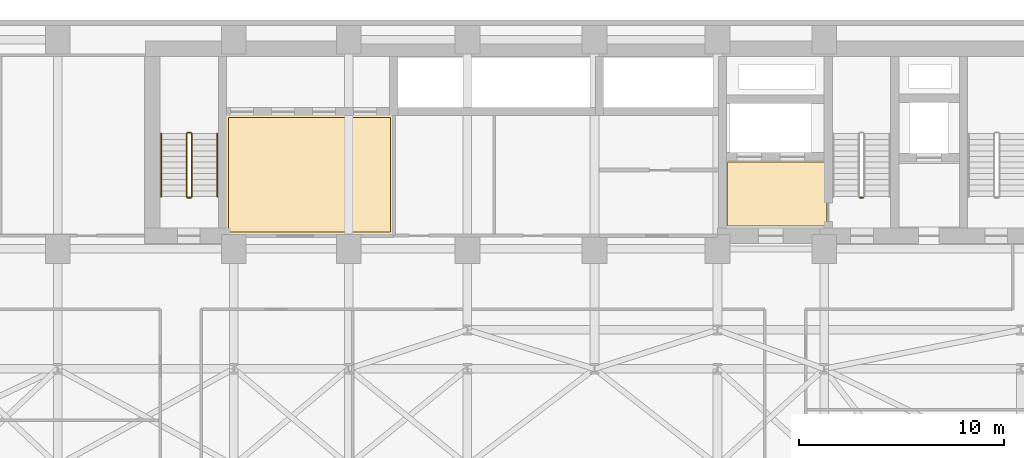
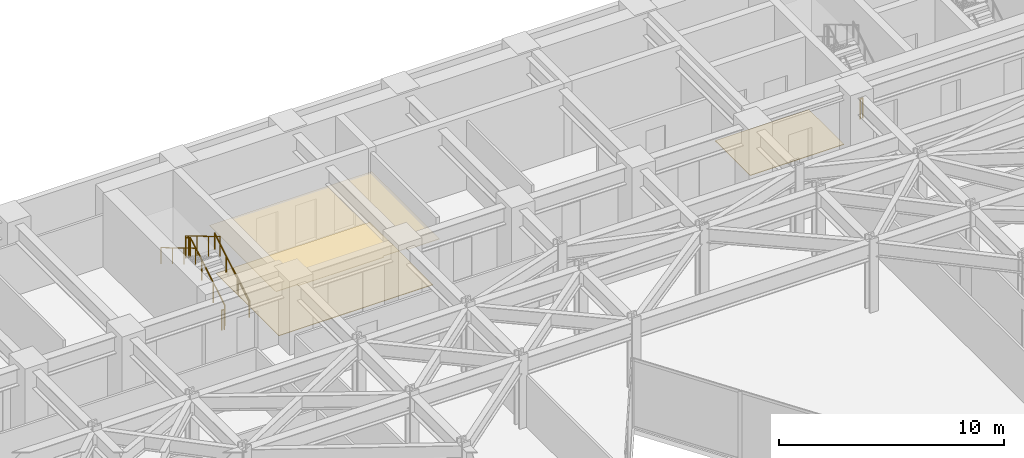
# One storey, part 23 of 24: 7 railings, 3 coverings.
"""IFC4 building model written with IfcOpenShell, lengths in metres."""

from ifc_helpers import new_model, si_unit, direction, frame, origin, origin_2d, place, context, subcontext, project, spatial, polyline, circle, outline, extrude, material, layer, layer_set, type_object, element, save


model = new_model("IFC4")

# Units and contexts
model_context = context("Model", 3, precision=1e-05, world=origin(), true_north=direction((0.0, 1.0)))
body_context = subcontext(model_context, "Body", "Model", "MODEL_VIEW")
ifc_project = project(units=[si_unit("LENGTHUNIT", "METRE"), si_unit("AREAUNIT", "SQUARE_METRE"), si_unit("VOLUMEUNIT", "CUBIC_METRE"), si_unit("PLANEANGLEUNIT", "RADIAN"), si_unit("MASSUNIT", "GRAM", prefix="KILO")], contexts=[model_context])

# Site, building, storey
site_placement = place(None, origin())
site = spatial("IfcSite", under=ifc_project, at=site_placement, CompositionType="ELEMENT")
building_placement = place(site_placement, origin())
building = spatial("IfcBuilding", under=site, at=building_placement, Name="Kravanh Interchange Tower", CompositionType="ELEMENT")
storey_placement = place(building_placement, frame((0.0, 0.0, 61.5)))
storey = spatial("IfcBuildingStorey", under=building, at=storey_placement, Name="L14", CompositionType="ELEMENT", Elevation=61.5)

# Coverings
ifc_material_1 = material(Name="Cementitious Terrazzo Tile")
ifc_layer_1 = layer(ifc_material_1, 0.030029296875)
ifc_layer_set_1 = layer_set([ifc_layer_1], Name="Honed Terrazzo Lobby Flooring 30mm")
covering_type_1 = type_object("IfcCoveringType", Name="Honed Terrazzo Lobby Flooring 30mm", PredefinedType="FLOORING", material=ifc_layer_set_1)
covering_1_placement = place(storey_placement, origin())
element("IfcCovering", 1, at=covering_1_placement, inside=storey, type_object=covering_type_1, Name="L14 Firefighting Lobby Floor Finish", PredefinedType="FLOORING", context=body_context, shape_type="SweptSolid", body=[
    extrude(outline(polyline([(56.1201171875, 38.4599609375), (51.300048828125, 38.4599609375), (51.300048828125, 41.580078125), (56.1201171875, 41.580078125), (56.1201171875, 38.4599609375)])), origin(), (0.0, 0.0, 1.0), 0.030029296875),
])
covering_2_placement = place(storey_placement, origin())
element("IfcCovering", 2, at=covering_2_placement, inside=storey, type_object=covering_type_1, Name="L14 Low-Rise Lift Lobby Floor Finish", PredefinedType="FLOORING", context=body_context, shape_type="SweptSolid", body=[
    extrude(outline(polyline([(26.929931640625, 43.77001953125), (34.840087890625, 43.77001953125), (34.840087890625, 38.179931640625), (26.929931640625, 38.179931640625), (26.929931640625, 43.77001953125)])), origin(), (0.0, 0.0, 1.0), 0.030029296875),
])
ifc_material_2 = material(Name="Acoustic Mineral Fibre Tile on Aluminium Grid", Category="aluminium")
ifc_layer_2 = layer(ifc_material_2, 0.02490234375)
ifc_layer_set_2 = layer_set([ifc_layer_2], Name="Perforated Acoustic Mineral Ceiling 25mm")
covering_type_2 = type_object("IfcCoveringType", Name="Perforated Acoustic Mineral Ceiling 25mm", PredefinedType="CEILING", material=ifc_layer_set_2)
covering_3_placement = place(storey_placement, frame((0.0, 0.0, 2.550048828125)))
element("IfcCovering", 3, at=covering_3_placement, inside=storey, type_object=covering_type_2, Name="L14 Low-Rise Lift Lobby Suspended Ceiling", PredefinedType="CEILING", context=body_context, shape_type="SweptSolid", body=[
    extrude(outline(polyline([(35.06005859375, 37.9599609375), (33.39990234375, 37.9599609375), (33.39990234375, 38.050048828125), (32.199951171875, 38.050048828125), (32.199951171875, 37.9599609375), (27.800048828125, 37.9599609375), (27.800048828125, 38.050048828125), (26.7099609375, 38.050048828125), (26.7099609375, 43.989990234375), (35.06005859375, 43.989990234375), (35.06005859375, 37.9599609375)])), origin(), (0.0, 0.0, 1.0), 0.02490234375),
])

# Railings
ifc_material_3 = material(Name="Structural Steel S355", Category="steel")
ifc_layer_3 = layer(ifc_material_3, 0.050048828125)
ifc_layer_set_3 = layer_set([ifc_layer_3], Name="Stair Well Guardrail Structural Steel S355 1100mm")
railing_type_1 = type_object("IfcRailingType", Name="Stair Well Guardrail Structural Steel S355 1100mm", PredefinedType="GUARDRAIL", material=ifc_layer_set_3)
railing_1_placement = place(storey_placement, frame((57.89990234375, 39.85009765625, 0.0)))
element("IfcRailing", 4, at=railing_1_placement, inside=storey, type_object=railing_type_1, Name="L14 ST2 stair guard 4", PredefinedType="GUARDRAIL", context=body_context, shape_type="SweptSolid", body=[
    extrude(circle(Radius=0.02392578125, at=origin_2d()), frame((0.0, 0.0, 1.076171875), z_axis=(-1.0, 0.0, 0.0), x_axis=(0.0, -1.0, 0.0)), (0.0, 0.0, 1.0), 0.14990234375),
    extrude(circle(Radius=0.02099609375, at=origin_2d()), origin(), (0.0, 0.0, 1.0), 1.052001953125),
    extrude(circle(Radius=0.02099609375, at=origin_2d()), frame((-0.14990234375, 0.0, 0.0)), (0.0, 0.0, 1.0), 1.052001953125),
])
railing_2_placement = place(storey_placement, frame((25.14990234375, 39.89990234375, 0.166748046875)))
element("IfcRailing", 5, at=railing_2_placement, inside=storey, type_object=railing_type_1, Name="L14 ST3 stair guard 1", PredefinedType="GUARDRAIL", context=body_context, shape_type="SweptSolid", body=[
    extrude(circle(Radius=0.02392578125, at=origin_2d()), frame((0.0, 0.0, 1.076171875), z_axis=(0.0, 0.859308565015, 0.511457515432), x_axis=(-1.0, 0.0, 0.0)), (0.0, 0.0, 1.0), 3.58447265625),
    extrude(circle(Radius=0.02099609375, at=origin_2d()), origin(), (0.0, 0.0, 1.0), 1.052001953125),
    extrude(circle(Radius=0.02099609375, at=origin_2d()), frame((0.0, 1.026611328125, 0.611083984375)), (0.0, 0.0, 1.0), 1.052001953125),
    extrude(circle(Radius=0.02099609375, at=origin_2d()), frame((0.0, 2.053466796875, 1.22216796875)), (0.0, 0.0, 1.0), 1.052001953125),
    extrude(circle(Radius=0.02099609375, at=origin_2d()), frame((0.0, 3.080078125, 1.833251953125)), (0.0, 0.0, 1.0), 1.052001953125),
])
railing_3_placement = place(storey_placement, frame((25.10009765625, 43.030029296875, 2.0)))
element("IfcRailing", 6, at=railing_3_placement, inside=storey, type_object=railing_type_1, Name="L14 ST3 stair guard 2", PredefinedType="GUARDRAIL", context=body_context, shape_type="SweptSolid", body=[
    extrude(circle(Radius=0.02392578125, at=origin_2d()), frame((0.0, 0.0, 1.076171875), z_axis=(-1.0, 0.0, 0.0), x_axis=(0.0, -1.0, 0.0)), (0.0, 0.0, 1.0), 0.150146484375),
    extrude(circle(Radius=0.02099609375, at=origin_2d()), origin(), (0.0, 0.0, 1.0), 1.052001953125),
    extrude(circle(Radius=0.02099609375, at=origin_2d()), frame((-0.150146484375, 0.0, 0.0)), (0.0, 0.0, 1.0), 1.052001953125),
])
railing_4_placement = place(storey_placement, frame((24.89990234375, 42.97998046875, 2.166748046875)))
element("IfcRailing", 7, at=railing_4_placement, inside=storey, type_object=railing_type_1, Name="L14 ST3 stair guard 3", PredefinedType="GUARDRAIL", context=body_context, shape_type="SweptSolid", body=[
    extrude(circle(Radius=0.02392578125, at=origin_2d()), frame((0.0, 0.0, 1.076171875), z_axis=(0.0, -0.859308565015, 0.511457515432), x_axis=(1.0, 0.0, 0.0)), (0.0, 0.0, 1.0), 3.58447265625),
    extrude(circle(Radius=0.02099609375, at=origin_2d()), origin(), (0.0, 0.0, 1.0), 1.052001953125),
    extrude(circle(Radius=0.02099609375, at=origin_2d()), frame((0.0, -1.026611328125, 0.611083984375)), (0.0, 0.0, 1.0), 1.052001953125),
    extrude(circle(Radius=0.02099609375, at=origin_2d()), frame((0.0, -2.053466796875, 1.22216796875)), (0.0, 0.0, 1.0), 1.052001953125),
    extrude(circle(Radius=0.02099609375, at=origin_2d()), frame((0.0, -3.080078125, 1.833251953125)), (0.0, 0.0, 1.0), 1.052001953125),
])
railing_5_placement = place(storey_placement, frame((25.10009765625, 39.85009765625, 0.0)))
element("IfcRailing", 8, at=railing_5_placement, inside=storey, type_object=railing_type_1, Name="L14 ST3 stair guard 4", PredefinedType="GUARDRAIL", context=body_context, shape_type="SweptSolid", body=[
    extrude(circle(Radius=0.02392578125, at=origin_2d()), frame((0.0, 0.0, 1.076171875), z_axis=(-1.0, 0.0, 0.0), x_axis=(0.0, -1.0, 0.0)), (0.0, 0.0, 1.0), 0.150146484375),
    extrude(circle(Radius=0.02099609375, at=origin_2d()), origin(), (0.0, 0.0, 1.0), 1.052001953125),
    extrude(circle(Radius=0.02099609375, at=origin_2d()), frame((-0.150146484375, 0.0, 0.0)), (0.0, 0.0, 1.0), 1.052001953125),
])
ifc_material_4 = material(Name="Stainless Steel 304", Category="steel")
ifc_layer_4 = layer(ifc_material_4, 0.044921875)
ifc_layer_set_4 = layer_set([ifc_layer_4], Name="Tubular Stair Handrail Stainless 304 900mm")
railing_type_2 = type_object("IfcRailingType", Name="Tubular Stair Handrail Stainless 304 900mm", PredefinedType="HANDRAIL", material=ifc_layer_set_4)
railing_6_placement = place(storey_placement, frame((26.39990234375, 39.89990234375, 0.166748046875)))
element("IfcRailing", 9, at=railing_6_placement, inside=storey, type_object=railing_type_2, Name="L14 ST3 stair handrail 1", PredefinedType="HANDRAIL", context=body_context, shape_type="SweptSolid", body=[
    extrude(circle(Radius=0.02392578125, at=origin_2d()), frame((0.0, 0.0, 0.8759765625), z_axis=(0.0, 0.859308565015, 0.511457515432), x_axis=(-1.0, 0.0, 0.0)), (0.0, 0.0, 1.0), 3.58447265625),
    extrude(circle(Radius=0.02099609375, at=origin_2d()), origin(), (0.0, 0.0, 1.0), 0.851806640625),
    extrude(circle(Radius=0.02099609375, at=origin_2d()), frame((0.0, 1.026611328125, 0.611083984375)), (0.0, 0.0, 1.0), 0.851806640625),
    extrude(circle(Radius=0.02099609375, at=origin_2d()), frame((0.0, 2.053466796875, 1.22216796875)), (0.0, 0.0, 1.0), 0.851806640625),
    extrude(circle(Radius=0.02099609375, at=origin_2d()), frame((0.0, 3.080078125, 1.833251953125)), (0.0, 0.0, 1.0), 0.851806640625),
])
railing_7_placement = place(storey_placement, frame((23.64990234375, 42.97998046875, 2.166748046875)))
element("IfcRailing", 10, at=railing_7_placement, inside=storey, type_object=railing_type_2, Name="L14 ST3 stair handrail 2", PredefinedType="HANDRAIL", context=body_context, shape_type="SweptSolid", body=[
    extrude(circle(Radius=0.02392578125, at=origin_2d()), frame((0.0, 0.0, 0.8759765625), z_axis=(0.0, -0.859308565015, 0.511457515432), x_axis=(1.0, 0.0, 0.0)), (0.0, 0.0, 1.0), 3.58447265625),
    extrude(circle(Radius=0.02099609375, at=origin_2d()), origin(), (0.0, 0.0, 1.0), 0.851806640625),
    extrude(circle(Radius=0.02099609375, at=origin_2d()), frame((0.0, -1.026611328125, 0.611083984375)), (0.0, 0.0, 1.0), 0.851806640625),
    extrude(circle(Radius=0.02099609375, at=origin_2d()), frame((0.0, -2.053466796875, 1.22216796875)), (0.0, 0.0, 1.0), 0.851806640625),
    extrude(circle(Radius=0.02099609375, at=origin_2d()), frame((0.0, -3.080078125, 1.833251953125)), (0.0, 0.0, 1.0), 0.851806640625),
])

save(model, "model.ifc")
